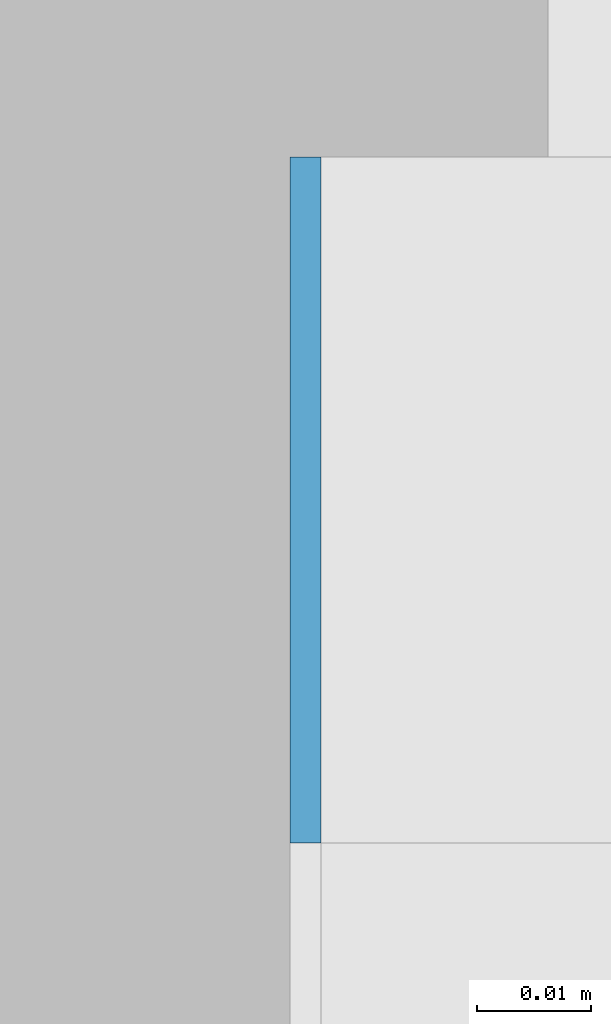
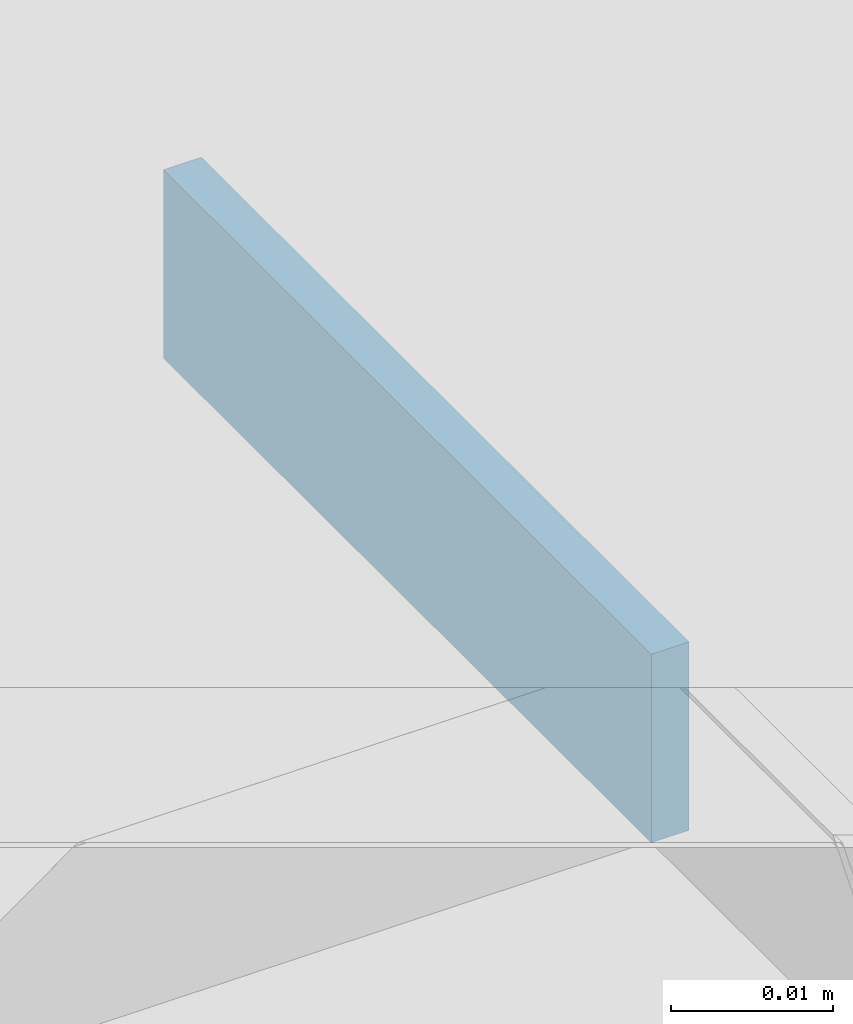
# One storey, part 589 of 646: 1 discrete accessory.
"""IFC4 building model written with IfcOpenShell, lengths in metres."""

from ifc_helpers import new_model, si_unit, direction, frame, origin, origin_2d, place, context, subcontext, project, spatial, rectangle, extrude, material, type_object, element, save


model = new_model("IFC4")

# Units and contexts
model_context = context("Model", 3, precision=1e-05, world=origin(), true_north=direction((0.0, 1.0)))
body_context = subcontext(model_context, "Body", "Model", "MODEL_VIEW")
ifc_project = project(units=[si_unit("LENGTHUNIT", "METRE"), si_unit("AREAUNIT", "SQUARE_METRE"), si_unit("VOLUMEUNIT", "CUBIC_METRE"), si_unit("PLANEANGLEUNIT", "RADIAN"), si_unit("MASSUNIT", "GRAM", prefix="KILO")], contexts=[model_context])

# Site, building, storey
site_placement = place(None, origin())
site = spatial("IfcSite", under=ifc_project, at=site_placement, CompositionType="ELEMENT")
building_placement = place(site_placement, origin())
building = spatial("IfcBuilding", under=site, at=building_placement, Name="Silverbay Arena", CompositionType="ELEMENT")
storey_placement = place(building_placement, frame((0.0, 0.0, 33.5)))
storey = spatial("IfcBuildingStorey", under=building, at=storey_placement, Name="L05", CompositionType="ELEMENT", Elevation=33.5)

# Discrete accessory
ifc_material = material(Name="Steel S355", Category="steel")
discrete_accessory_type = type_object("IfcDiscreteAccessoryType", Name="Steel bracket plate", PredefinedType="BRACKET", material=ifc_material)
discrete_accessory_placement = place(storey_placement, frame((207.128662109375, 117.030029296875, 12.98583984375), z_axis=(0.0, 0.0, 1.0), x_axis=(1.0, 0.0, 0.0)))
element("IfcDiscreteAccessory", 1, at=discrete_accessory_placement, inside=storey, type_object=discrete_accessory_type, Name="Curtain wall packing plate", PredefinedType="BRACKET", context=body_context, shape_type="SweptSolid", body=[
    extrude(rectangle(XDim=0.002685546875, YDim=0.06005859375, at=origin_2d()), origin(), (0.0, 0.0, 1.0), 0.01416015625),
])

save(model, "model.ifc")
